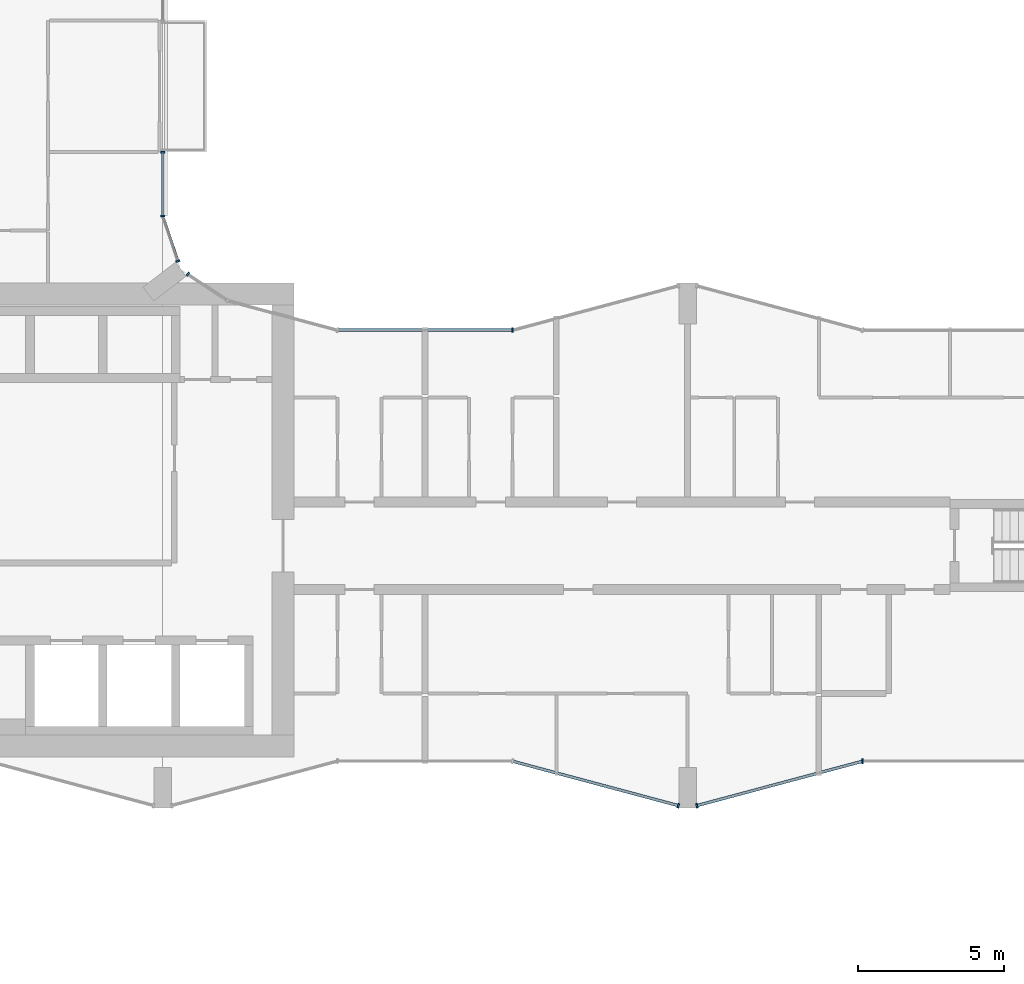
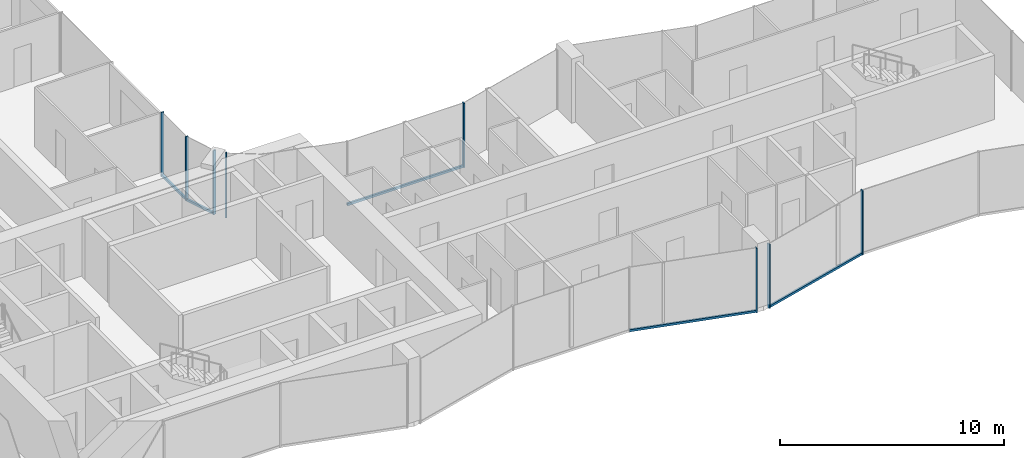
# One storey, part 4 of 23: 13 members, 7 elements without a shape of their own.
"""IFC4 building model written with IfcOpenShell, lengths in metres."""

from ifc_helpers import new_model, si_unit, direction, frame, origin, origin_2d, place, context, subcontext, project, spatial, rectangle, extrude, material, layer, layer_set, material_profile, profile_set, type_object, element, aggregate, save


model = new_model("IFC4")

# Units and contexts
model_context = context("Model", 3, precision=1e-05, world=origin(), true_north=direction((0.0, 1.0)))
body_context = subcontext(model_context, "Body", "Model", "MODEL_VIEW")
ifc_project = project(units=[si_unit("LENGTHUNIT", "METRE"), si_unit("AREAUNIT", "SQUARE_METRE"), si_unit("VOLUMEUNIT", "CUBIC_METRE"), si_unit("PLANEANGLEUNIT", "RADIAN"), si_unit("MASSUNIT", "GRAM", prefix="KILO")], contexts=[model_context])

# Site, building, storey
site_placement = place(None, origin())
site = spatial("IfcSite", under=ifc_project, at=site_placement, CompositionType="ELEMENT")
building_placement = place(site_placement, origin())
building = spatial("IfcBuilding", under=site, at=building_placement, Name="Plateau Cross Towers", CompositionType="ELEMENT")
storey_placement = place(building_placement, frame((0.0, 0.0, 37.300048828125)))
storey = spatial("IfcBuildingStorey", under=building, at=storey_placement, Name="L08", CompositionType="ELEMENT", Elevation=37.300048828125)

# Curtain wall, member
ifc_material_1 = material(Name="Dark low-iron glass", Category="glass")
ifc_layer_1 = layer(ifc_material_1, 0.239990234375)
ifc_layer_set_1 = layer_set([ifc_layer_1], Name="Dark low-iron glass")
curtain_wall_type_1 = type_object("IfcCurtainWallType", Name="Curtain wall flush unitised CW-B", PredefinedType="NOTDEFINED", material=ifc_layer_set_1)
curtain_wall_1_placement = place(storey_placement, origin())
curtain_wall_1 = element("IfcCurtainWall", 1, at=curtain_wall_1_placement, inside=storey, type_object=curtain_wall_type_1, Name="ENV/A/L08/A202_174", PredefinedType="NOTDEFINED")
ifc_material_2 = material(Name="Black anodised aluminium", Category="aluminium")
ifc_material_profile_1 = material_profile(ifc_material_2, rectangle(XDim=0.06005859375, YDim=0.139892578125, at=origin_2d()), Name="MULLION 60x140")
ifc_profile_set_1 = profile_set([ifc_material_profile_1], Name="Black anodised aluminium")
member_type_1 = type_object("IfcMemberType", Name="Mullion 60x140 flush unitised", PredefinedType="MULLION", material=ifc_profile_set_1)
member_1_placement = place(storey_placement, frame((18.86962890625, 18.30908203125, -0.25), z_axis=(0.0, 0.0, 1.0), x_axis=(-0.831521253329, 0.555492938984, 0.0)))
member_1 = element("IfcMember", 2, at=member_1_placement, type_object=member_type_1, Name="CW-B mullion 2", PredefinedType="MULLION", context=body_context, shape_type="SweptSolid", body=[
    extrude(rectangle(XDim=0.06005859375, YDim=0.139892578125, at=origin_2d()), origin(), (0.0, 0.0, 1.0), 3.5),
])
aggregate(curtain_wall_1, [member_1])

curtain_wall_2_placement = place(storey_placement, origin())
curtain_wall_2 = element("IfcCurtainWall", 3, at=curtain_wall_2_placement, inside=storey, type_object=curtain_wall_type_1, Name="ENV/A/L08/A185_188", PredefinedType="NOTDEFINED")
member_2_placement = place(storey_placement, frame((18.523681640625, 18.760009765625, -0.25), z_axis=(0.0, 0.0, 1.0), x_axis=(-0.321469161574, 0.94692004845, 0.0)))
member_2 = element("IfcMember", 4, at=member_2_placement, type_object=member_type_1, Name="CW-B mullion 1", PredefinedType="MULLION", context=body_context, shape_type="SweptSolid", body=[
    extrude(rectangle(XDim=0.06005859375, YDim=0.139892578125, at=origin_2d()), origin(), (0.0, 0.0, 1.0), 3.5),
])

# Curtain wall, members
curtain_wall_3_placement = place(storey_placement, origin())
curtain_wall_3 = element("IfcCurtainWall", 5, at=curtain_wall_3_placement, inside=storey, type_object=curtain_wall_type_1, Name="ENV/A/L08/A180_203", PredefinedType="NOTDEFINED")
member_3_placement = place(storey_placement, frame((18.0, 20.30224609375, -0.25), z_axis=(0.0, 0.0, 1.0), x_axis=(0.0, 1.0, 0.0)))
member_3 = element("IfcMember", 6, at=member_3_placement, type_object=member_type_1, Name="CW-B mullion 1", PredefinedType="MULLION", context=body_context, shape_type="SweptSolid", body=[
    extrude(rectangle(XDim=0.06005859375, YDim=0.139892578125, at=origin_2d()), origin(), (0.0, 0.0, 1.0), 3.5),
])
member_4_placement = place(storey_placement, frame((18.0, 22.489990234375, -0.25), z_axis=(0.0, 0.0, 1.0), x_axis=(0.0, 1.0, 0.0)))
member_4 = element("IfcMember", 7, at=member_4_placement, type_object=member_type_1, Name="CW-B mullion 2", PredefinedType="MULLION", context=body_context, shape_type="SweptSolid", body=[
    extrude(rectangle(XDim=0.06005859375, YDim=0.139892578125, at=origin_2d()), origin(), (0.0, 0.0, 1.0), 3.5),
])

# Curtain wall, member
ifc_layer_2 = layer(ifc_material_1, 0.260009765625)
ifc_layer_set_2 = layer_set([ifc_layer_2], Name="Dark low-iron glass")
curtain_wall_type_2 = type_object("IfcCurtainWallType", Name="Curtain wall fluted unitised CW-A", PredefinedType="NOTDEFINED", material=ifc_layer_set_2)
curtain_wall_4_placement = place(storey_placement, origin())
curtain_wall_4 = element("IfcCurtainWall", 8, at=curtain_wall_4_placement, inside=storey, type_object=curtain_wall_type_2, Name="ENV/A/L08/A300_16", PredefinedType="NOTDEFINED")
ifc_material_profile_2 = material_profile(ifc_material_2, rectangle(XDim=0.06005859375, YDim=0.159912109375, at=origin_2d()), Name="MULLION 60x160")
ifc_profile_set_2 = profile_set([ifc_material_profile_2], Name="Black anodised aluminium")
member_type_2 = type_object("IfcMemberType", Name="Mullion 60x160 fluted unitised", PredefinedType="MULLION", material=ifc_profile_set_2)
member_5_placement = place(storey_placement, frame((35.68212890625, 0.085205078125, -0.25), z_axis=(0.0, 0.0, 1.0), x_axis=(0.965957983404, -0.258699003279, 0.0)))
member_5 = element("IfcMember", 9, at=member_5_placement, type_object=member_type_2, Name="CW-A mullion 2", PredefinedType="MULLION", context=body_context, shape_type="SweptSolid", body=[
    extrude(rectangle(XDim=0.06005859375, YDim=0.159912109375, at=origin_2d()), origin(), (0.0, 0.0, 1.0), 3.5),
])

curtain_wall_5_placement = place(storey_placement, origin())
curtain_wall_5 = element("IfcCurtainWall", 10, at=curtain_wall_5_placement, inside=storey, type_object=curtain_wall_type_2, Name="ENV/A/L08/A363_1", PredefinedType="NOTDEFINED")
member_6_placement = place(storey_placement, frame((36.31787109375, 0.085205078125, -0.25), z_axis=(0.0, 0.0, 1.0), x_axis=(0.965957983404, 0.258699003279, 0.0)))
member_6 = element("IfcMember", 11, at=member_6_placement, type_object=member_type_2, Name="CW-A mullion 1", PredefinedType="MULLION", context=body_context, shape_type="SweptSolid", body=[
    extrude(rectangle(XDim=0.06005859375, YDim=0.159912109375, at=origin_2d()), origin(), (0.0, 0.0, 1.0), 3.5),
])

curtain_wall_6_placement = place(storey_placement, origin())
curtain_wall_6 = element("IfcCurtainWall", 12, at=curtain_wall_6_placement, inside=storey, type_object=curtain_wall_type_2, Name="ENV/A/L08/A420_16", PredefinedType="NOTDEFINED")
member_7_placement = place(storey_placement, frame((42.0, 1.60693359375, -0.25), z_axis=(0.0, 0.0, 1.0), x_axis=(1.0, 0.0, 0.0)))
member_7 = element("IfcMember", 13, at=member_7_placement, type_object=member_type_2, Name="CW-A mullion 1", PredefinedType="MULLION", context=body_context, shape_type="SweptSolid", body=[
    extrude(rectangle(XDim=0.06005859375, YDim=0.159912109375, at=origin_2d()), origin(), (0.0, 0.0, 1.0), 3.5),
])
aggregate(curtain_wall_6, [member_7])

curtain_wall_7_placement = place(storey_placement, origin())
curtain_wall_7 = element("IfcCurtainWall", 14, at=curtain_wall_7_placement, inside=storey, type_object=curtain_wall_type_2, Name="ENV/A/L08/A300_164", PredefinedType="NOTDEFINED")
member_8_placement = place(storey_placement, frame((30.0, 16.39306640625, -0.25), z_axis=(0.0, 0.0, 1.0), x_axis=(-1.0, 0.0, 0.0)))
member_8 = element("IfcMember", 15, at=member_8_placement, type_object=member_type_2, Name="CW-A mullion 1", PredefinedType="MULLION", context=body_context, shape_type="SweptSolid", body=[
    extrude(rectangle(XDim=0.06005859375, YDim=0.159912109375, at=origin_2d()), origin(), (0.0, 0.0, 1.0), 3.5),
])

# Member
ifc_material_profile_3 = material_profile(ifc_material_2, rectangle(XDim=0.10009765625, YDim=0.1201171875, at=origin_2d()), Name="TRANSOM 100x120")
ifc_profile_set_3 = profile_set([ifc_material_profile_3], Name="Black anodised aluminium")
member_type_3 = type_object("IfcMemberType", Name="Transom 100x120 flush unitised", PredefinedType="USERDEFINED", material=ifc_profile_set_3)
member_9_placement = place(storey_placement, frame((18.523681640625, 18.760009765625, -0.18994140625), z_axis=(-0.321529174838, 0.946899672472, 0.0), x_axis=(-0.946899672472, -0.321529174838, 0.0)))
member_9 = element("IfcMember", 16, at=member_9_placement, type_object=member_type_3, Name="CW-B transom", ObjectType="TRANSOM", PredefinedType="USERDEFINED", context=body_context, shape_type="SweptSolid", body=[
    extrude(rectangle(XDim=0.10009765625, YDim=0.1201171875, at=origin_2d()), origin(), (0.0, 0.0, 1.0), 1.628662109375),
])

aggregate(curtain_wall_2, [member_2, member_9])

member_10_placement = place(storey_placement, frame((18.0, 20.30224609375, -0.18994140625), z_axis=(0.0, 1.0, 0.0), x_axis=(-1.0, 0.0, 0.0)))
member_10 = element("IfcMember", 17, at=member_10_placement, type_object=member_type_3, Name="CW-B transom", ObjectType="TRANSOM", PredefinedType="USERDEFINED", context=body_context, shape_type="SweptSolid", body=[
    extrude(rectangle(XDim=0.10009765625, YDim=0.1201171875, at=origin_2d()), origin(), (0.0, 0.0, 1.0), 2.187744140625),
])

aggregate(curtain_wall_3, [member_3, member_4, member_10])

ifc_material_profile_4 = material_profile(ifc_material_2, rectangle(XDim=0.10009765625, YDim=0.1201171875, at=origin_2d()), Name="TRANSOM 100x120")
ifc_profile_set_4 = profile_set([ifc_material_profile_4], Name="Black anodised aluminium")
member_type_4 = type_object("IfcMemberType", Name="Transom 100x120 fluted unitised", PredefinedType="USERDEFINED", material=ifc_profile_set_4)
member_11_placement = place(storey_placement, frame((30.0, 1.60693359375, -0.18994140625), z_axis=(0.965959534794, -0.258693210465, 0.0), x_axis=(0.258693210465, 0.965959534794, 0.0)))
member_11 = element("IfcMember", 18, at=member_11_placement, type_object=member_type_4, Name="CW-A transom", ObjectType="TRANSOM", PredefinedType="USERDEFINED", context=body_context, shape_type="SweptSolid", body=[
    extrude(rectangle(XDim=0.10009765625, YDim=0.1201171875, at=origin_2d()), origin(), (0.0, 0.0, 1.0), 5.88232421875),
])

aggregate(curtain_wall_4, [member_5, member_11])

member_12_placement = place(storey_placement, frame((36.31787109375, 0.085205078125, -0.18994140625), z_axis=(0.965959534794, 0.258693210465, 0.0), x_axis=(-0.258693210465, 0.965959534794, 0.0)))
member_12 = element("IfcMember", 19, at=member_12_placement, type_object=member_type_4, Name="CW-A transom", ObjectType="TRANSOM", PredefinedType="USERDEFINED", context=body_context, shape_type="SweptSolid", body=[
    extrude(rectangle(XDim=0.10009765625, YDim=0.1201171875, at=origin_2d()), origin(), (0.0, 0.0, 1.0), 5.88232421875),
])

aggregate(curtain_wall_5, [member_6, member_12])

member_13_placement = place(storey_placement, frame((30.0, 16.39306640625, -0.18994140625), z_axis=(-1.0, 0.0, 0.0), x_axis=(0.0, -1.0, 0.0)))
member_13 = element("IfcMember", 20, at=member_13_placement, type_object=member_type_4, Name="CW-A transom", ObjectType="TRANSOM", PredefinedType="USERDEFINED", context=body_context, shape_type="SweptSolid", body=[
    extrude(rectangle(XDim=0.10009765625, YDim=0.1201171875, at=origin_2d()), origin(), (0.0, 0.0, 1.0), 6.0),
])

aggregate(curtain_wall_7, [member_8, member_13])

save(model, "model.ifc")
